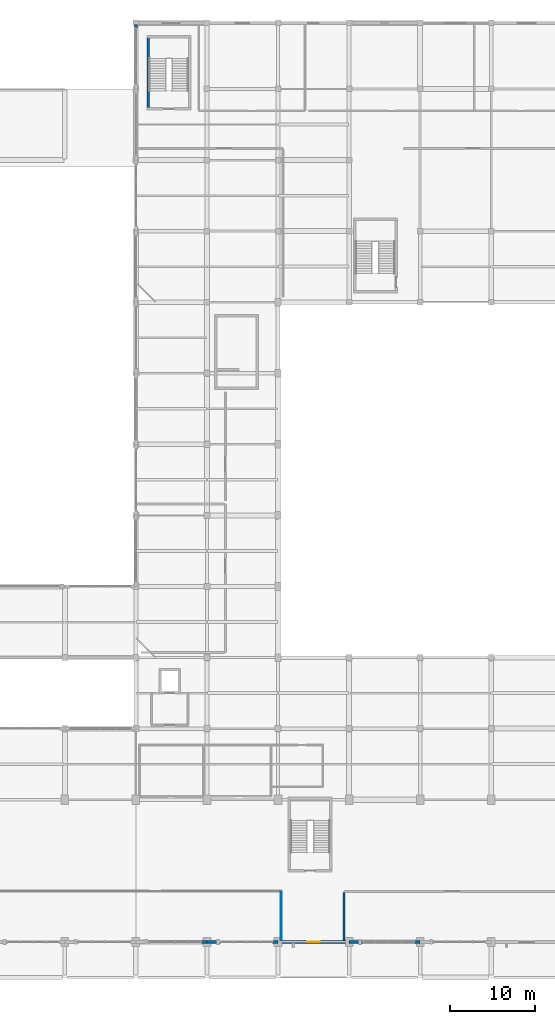
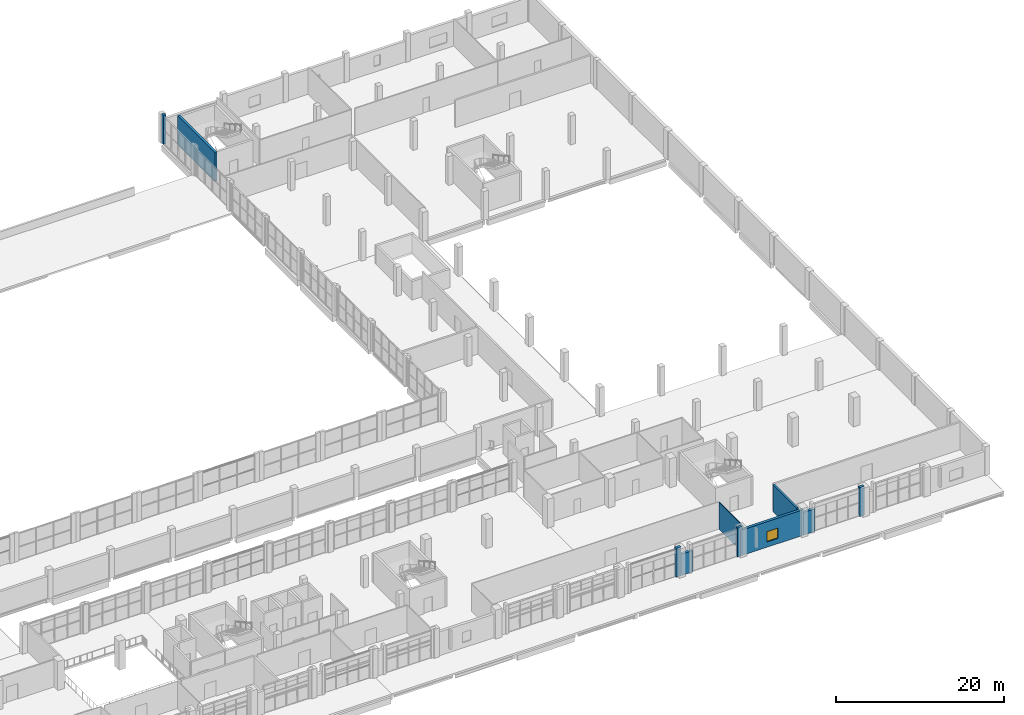
# One storey, part 52 of 59: 10 walls, 1 window, 1 opening.
"""IFC4 building model written with IfcOpenShell, lengths in metres."""

from ifc_helpers import new_model, si_unit, derived_unit, direction, frame, frame_2d, origin, place, context, subcontext, project, spatial, rectangle, extrude, material, layer, layer_set, type_object, element, fill, save


model = new_model("IFC4")

# Units and contexts
model_context = context("Model", 3, precision=1e-05, world=origin(), true_north=direction((0.0, 1.0)))
body_context = subcontext(model_context, "Body", "Model", "MODEL_VIEW")
ifc_project = project(units=[si_unit("LENGTHUNIT", "METRE"), si_unit("AREAUNIT", "SQUARE_METRE"), si_unit("VOLUMEUNIT", "CUBIC_METRE"), si_unit("PLANEANGLEUNIT", "RADIAN"), si_unit("MASSUNIT", "GRAM", prefix="KILO"), derived_unit("THERMALTRANSMITTANCEUNIT", [(si_unit("POWERUNIT", "WATT"), 1), (si_unit("LENGTHUNIT", "METRE"), -2), (si_unit("THERMODYNAMICTEMPERATUREUNIT", "KELVIN"), -1)])], contexts=[model_context])

# Site, building, storey
site_placement = place(None, origin())
site = spatial("IfcSite", under=ifc_project, at=site_placement, CompositionType="ELEMENT")
building_placement = place(site_placement, origin())
building = spatial("IfcBuilding", under=site, at=building_placement, Name="Barrovel Congress Hotel", CompositionType="ELEMENT")
storey_placement = place(building_placement, frame((0.0, 0.0, 9.89990234375)))
storey = spatial("IfcBuildingStorey", under=building, at=storey_placement, Name="L02", CompositionType="ELEMENT", Elevation=9.89990234375)

# Walls
ifc_material_1 = material(Name="Fired Clay Brick Masonry", Category="masonry")
ifc_layer_1 = layer(ifc_material_1, 0.340087890625)
ifc_layer_set_1 = layer_set([ifc_layer_1], Name="Fired Clay Brick Masonry")
wall_type_1 = type_object("IfcWallType", Name="EW-BRK340", PredefinedType="STANDARD", material=ifc_layer_set_1)
wall_1_placement = place(storey_placement, frame((126.0, 112.6201171875, 0.0), z_axis=(0.0, 0.0, 1.0), x_axis=(0.0, -1.0, 0.0)))
element("IfcWall", 1, at=wall_1_placement, inside=storey, type_object=wall_type_1, Name="EW:L02:CEJ-B:105.0", PredefinedType="STANDARD", context=body_context, shape_type="SweptSolid", body=[
    extrude(rectangle(XDim=0.420166015625, YDim=0.340087890625, at=frame_2d((0.2099609375, 0.0))), origin(), (0.0, 0.0, 1.0), 4.2001953125),
])
ifc_layer_2 = layer(ifc_material_1, 0.360107421875)
ifc_layer_set_2 = layer_set([ifc_layer_2], Name="Fired Clay Brick Masonry")
wall_type_2 = type_object("IfcWallType", Name="EW-BRK360", PredefinedType="STANDARD", material=ifc_layer_set_2)
wall_2_placement = place(storey_placement, frame((133.739990234375, 4.199951171875, 0.0), z_axis=(0.0, 0.0, 1.0), x_axis=(1.0, 0.0, 0.0)))
element("IfcWall", 2, at=wall_2_placement, inside=storey, type_object=wall_type_2, Name="EW:L02:SJ-R:15", PredefinedType="STANDARD", context=body_context, shape_type="SweptSolid", body=[
    extrude(rectangle(XDim=0.659912109375, YDim=0.360107421875, at=frame_2d((0.330078125, 0.0))), origin(), (0.0, 0.0, 1.0), 4.2001953125),
])
wall_3_placement = place(storey_placement, frame((134.39990234375, 4.199951171875, 0.0), z_axis=(0.0, 0.0, 1.0), x_axis=(1.0, 0.0, 0.0)))
element("IfcWall", 3, at=wall_3_placement, inside=storey, type_object=wall_type_2, Name="EW:L02:SJ-L:16", PredefinedType="STANDARD", context=body_context, shape_type="SweptSolid", body=[
    extrude(rectangle(XDim=1.6201171875, YDim=0.360107421875, at=frame_2d((0.81005859375, 0.0))), origin(), (0.0, 0.0, 1.0), 3.110107421875),
])
wall_4_placement = place(storey_placement, frame((142.139892578125, 4.199951171875, 0.0), z_axis=(0.0, 0.0, 1.0), x_axis=(1.0, 0.0, 0.0)))
element("IfcWall", 4, at=wall_4_placement, inside=storey, type_object=wall_type_2, Name="EW:L02:SJ-R:16", PredefinedType="STANDARD", context=body_context, shape_type="SweptSolid", body=[
    extrude(rectangle(XDim=0.66015625, YDim=0.360107421875, at=frame_2d((0.330078125, 0.0))), origin(), (0.0, 0.0, 1.0), 4.2001953125),
])

# Wall, opening, window
wall_5_placement = place(storey_placement, frame((142.800048828125, 4.199951171875, 0.0), z_axis=(0.0, 0.0, 1.0), x_axis=(1.0, 0.0, 0.0)))
wall_5 = element("IfcWall", 5, at=wall_5_placement, inside=storey, type_object=wall_type_2, Name="EW:L02:S:17", PredefinedType="STANDARD", context=body_context, shape_type="SweptSolid", body=[
    extrude(rectangle(XDim=8.39990234375, YDim=0.360107421875, at=frame_2d((4.199951171875, 0.0))), origin(), (0.0, 0.0, 1.0), 3.713134765625),
])
opening_placement = place(wall_5_placement, frame((3.449951171875, 0.0, 0.75)))
opening = element("IfcOpeningElement", 6, at=opening_placement, cuts=wall_5, Name="Opening WN-07", PredefinedType="OPENING", context=body_context, shape_type="SweptSolid", body=[
    extrude(rectangle(XDim=1.5, YDim=1.5, at=frame_2d((0.75, 0.75))), frame((0.0, 0.18994140625, 0.0), z_axis=(0.0, -1.0, 0.0), x_axis=(1.0, 0.0, 0.0)), (0.0, 0.0, 1.0), 0.380126953125),
])
ifc_material_2 = material(Name="Double Low-E Insulated Glazing", Category="glass")
window_type = type_object("IfcWindowType", Name="WIN-WN-07", PartitioningType="SINGLE_PANEL", PredefinedType="WINDOW", material=ifc_material_2)
window_placement = place(opening_placement, origin())
window = element("IfcWindow", 7, at=window_placement, inside=storey, type_object=window_type, Name="WIN:L02:S:17", OverallHeight=1.5, OverallWidth=1.5, PartitioningType="SINGLE_PANEL", PredefinedType="WINDOW", context=body_context, shape_type="SweptSolid", body=[
    extrude(rectangle(XDim=1.5, YDim=1.5, at=frame_2d((0.75, 0.75))), frame((0.0, 0.030029296875, 0.0), z_axis=(0.0, -1.0, 0.0), x_axis=(1.0, 0.0, 0.0)), (0.0, 0.0, 1.0), 0.06005859375),
])
fill(opening, window)

# Walls
wall_6_placement = place(storey_placement, frame((151.199951171875, 4.199951171875, 0.0), z_axis=(0.0, 0.0, 1.0), x_axis=(1.0, 0.0, 0.0)))
element("IfcWall", 8, at=wall_6_placement, inside=storey, type_object=wall_type_2, Name="EW:L02:SJ-L:18", PredefinedType="STANDARD", context=body_context, shape_type="SweptSolid", body=[
    extrude(rectangle(XDim=1.6201171875, YDim=0.360107421875, at=frame_2d((0.81005859375, 0.0))), origin(), (0.0, 0.0, 1.0), 3.276123046875),
])
wall_7_placement = place(storey_placement, frame((158.93994140625, 4.199951171875, 0.0), z_axis=(0.0, 0.0, 1.0), x_axis=(1.0, 0.0, 0.0)))
element("IfcWall", 9, at=wall_7_placement, inside=storey, type_object=wall_type_2, Name="EW:L02:SJ-R:18", PredefinedType="STANDARD", context=body_context, shape_type="SweptSolid", body=[
    extrude(rectangle(XDim=0.66015625, YDim=0.360107421875, at=frame_2d((0.330078125, 0.0))), origin(), (0.0, 0.0, 1.0), 4.2001953125),
])
ifc_material_3 = material(Name="Gypsum Acoustic Stud", Category="gypsum")
ifc_layer_3 = layer(ifc_material_3, 0.10009765625)
ifc_layer_set_3 = layer_set([ifc_layer_3], Name="Gypsum Acoustic Stud")
wall_type_3 = type_object("IfcWallType", Name="PW-LGT-100", PredefinedType="PARTITIONING", material=ifc_layer_set_3)
wall_8_placement = place(storey_placement, frame((143.179931640625, 4.3798828125, 0.0), z_axis=(0.0, 0.0, 1.0), x_axis=(0.0, 1.0, 0.0)))
element("IfcWall", 10, at=wall_8_placement, inside=storey, type_object=wall_type_3, Name="RW:SP:L02:CONF-A:E", PredefinedType="PARTITIONING", context=body_context, shape_type="SweptSolid", body=[
    extrude(rectangle(XDim=5.75, YDim=0.10009765625, at=frame_2d((2.875, 0.0))), origin(), (0.0, 0.0, 1.0), 3.955078125),
])
ifc_layer_4 = layer(ifc_material_1, 0.239990234375)
ifc_layer_set_4 = layer_set([ifc_layer_4], Name="Fired Clay Brick Masonry")
wall_type_4 = type_object("IfcWallType", Name="PW-MAS-240", PredefinedType="PARTITIONING", material=ifc_layer_set_4)
wall_9_placement = place(storey_placement, frame((150.6201171875, 4.3798828125, 0.0), z_axis=(0.0, 0.0, 1.0), x_axis=(0.0, 1.0, 0.0)))
element("IfcWall", 11, at=wall_9_placement, inside=storey, type_object=wall_type_4, Name="RW:SP:L02:CONF-B:W", PredefinedType="PARTITIONING", context=body_context, shape_type="SweptSolid", body=[
    extrude(rectangle(XDim=5.68017578125, YDim=0.239990234375, at=frame_2d((2.840087890625, 0.0))), origin(), (0.0, 0.0, 1.0), 3.955078125),
])
ifc_material_4 = material(Name="Concrete C40", Category="concrete")
ifc_layer_5 = layer(ifc_material_4, 0.300048828125)
ifc_layer_set_5 = layer_set([ifc_layer_5], Name="Concrete C40")
wall_type_5 = type_object("IfcWallType", Name="SW-C40-300", PredefinedType="SHEAR", material=ifc_layer_set_5)
wall_10_placement = place(storey_placement, frame((127.449951171875, 111.340087890625, 0.0), z_axis=(0.0, 0.0, 1.0), x_axis=(0.0, -1.0, 0.0)))
element("IfcWall", 12, at=wall_10_placement, inside=storey, type_object=wall_type_5, Name="SHW:XS-10:L02:W", PredefinedType="SHEAR", context=body_context, shape_type="SweptSolid", body=[
    extrude(rectangle(XDim=8.840087890625, YDim=0.300048828125, at=frame_2d((4.419921875, 0.0))), origin(), (0.0, 0.0, 1.0), 4.2001953125),
])

save(model, "model.ifc")
